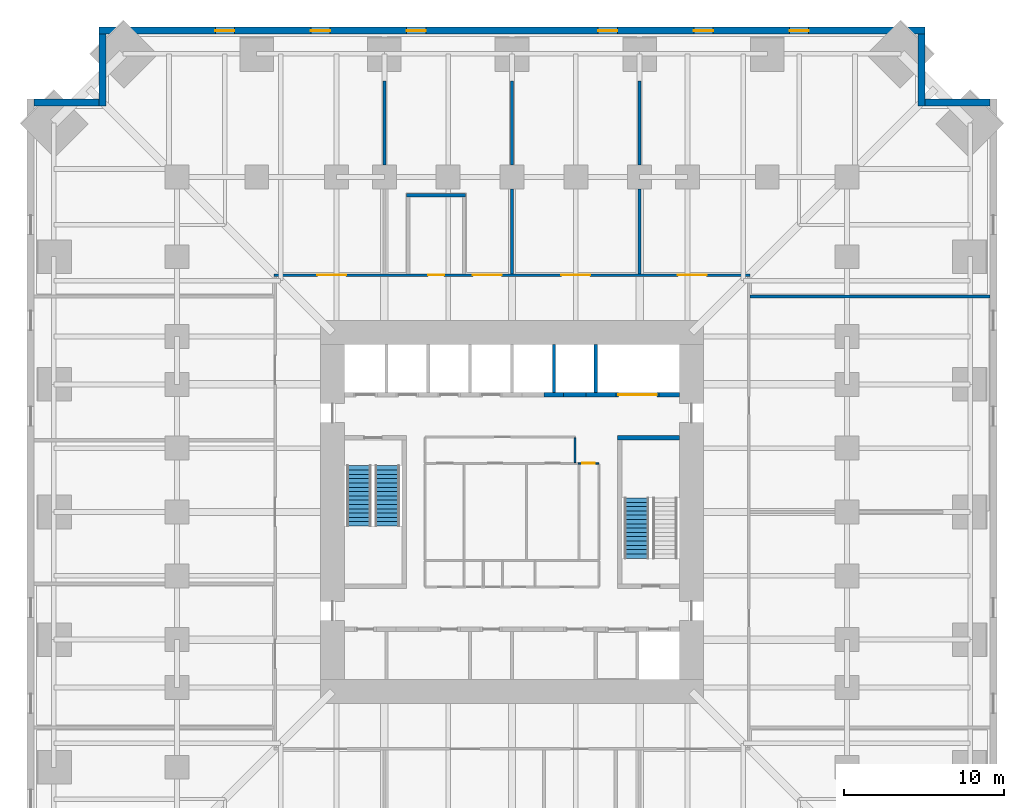
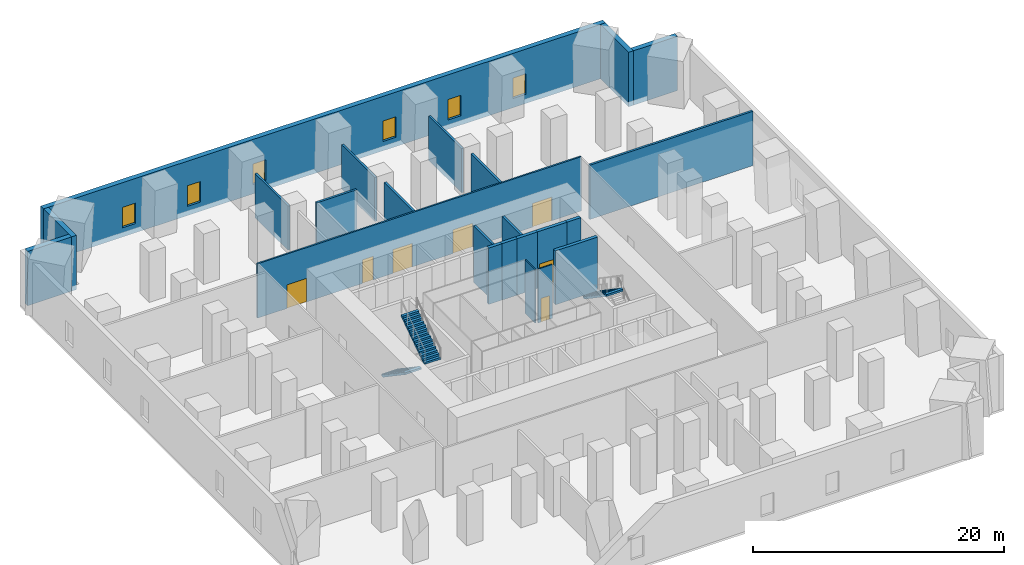
# One storey, part 6 of 8: 23 walls, 7 doors, 6 windows, 3 stair flights, 13 openings, 2 elements without a shape of their own.
"""IFC4 building model written with IfcOpenShell, lengths in metres."""

from ifc_helpers import new_model, si_unit, direction, frame, frame_2d, origin, place, context, subcontext, project, spatial, polyline, rectangle, outline, extrude, material, layer, layer_set, type_object, element, fill, aggregate, save


model = new_model("IFC4")

# Units and contexts
model_context = context("Model", 3, precision=1e-05, world=origin(), true_north=direction((0.0, 1.0)))
body_context = subcontext(model_context, "Body", "Model", "MODEL_VIEW")
ifc_project = project(units=[si_unit("LENGTHUNIT", "METRE"), si_unit("AREAUNIT", "SQUARE_METRE"), si_unit("VOLUMEUNIT", "CUBIC_METRE"), si_unit("PLANEANGLEUNIT", "RADIAN"), si_unit("MASSUNIT", "GRAM", prefix="KILO")], contexts=[model_context])

# Site, building, storey
site_placement = place(None, origin())
site = spatial("IfcSite", under=ifc_project, at=site_placement, CompositionType="ELEMENT")
building_placement = place(site_placement, origin())
building = spatial("IfcBuilding", under=site, at=building_placement, Name="Peilmerk Tower", CompositionType="ELEMENT")
storey_placement = place(building_placement, frame((0.0, 0.0, 54.0)))
storey = spatial("IfcBuildingStorey", under=building, at=storey_placement, Name="L10", CompositionType="ELEMENT", Elevation=54.0)

# Wall, openings, windows
ifc_material_1 = material(Name="Precast concrete C45/55, board-marked finish", Category="concrete")
ifc_layer_1 = layer(ifc_material_1, 0.449951171875)
ifc_layer_set_1 = layer_set([ifc_layer_1], Name="Precast concrete C45/55, board-marked finish")
wall_type_1 = type_object("IfcWallType", Name="EW1 450 precast concrete facade wall, board-marked", PredefinedType="SOLIDWALL", material=ifc_layer_set_1)
wall_1_placement = place(storey_placement, frame((25.89990234375, 30.175048828125, 0.0), z_axis=(0.0, 0.0, 1.0), x_axis=(-1.0, 0.0, 0.0)))
wall_1 = element("IfcWall", 1, at=wall_1_placement, inside=storey, type_object=wall_type_1, Name="Facade wall N L10", PredefinedType="SOLIDWALL", context=body_context, shape_type="SweptSolid", body=[
    extrude(rectangle(XDim=51.7998046875, YDim=0.449951171875, at=frame_2d((25.89990234375, 0.0))), origin(), (0.0, 0.0, 1.0), 5.300048828125),
])
opening_1_placement = place(wall_1_placement, frame((7.300048828125, 0.0, 0.89990234375)))
opening_1 = element("IfcOpeningElement", 2, at=opening_1_placement, cuts=wall_1, Name="Opening W2", PredefinedType="OPENING", context=body_context, shape_type="SweptSolid", body=[
    extrude(rectangle(XDim=1.199951171875, YDim=2.0, at=frame_2d((0.60009765625, 1.0))), frame((0.0, 0.23486328125, 0.0), z_axis=(0.0, -1.0, 0.0), x_axis=(1.0, 0.0, 0.0)), (0.0, 0.0, 1.0), 0.469970703125),
])
opening_2_placement = place(wall_1_placement, frame((13.300048828125, 0.0, 0.89990234375)))
opening_2 = element("IfcOpeningElement", 3, at=opening_2_placement, cuts=wall_1, Name="Opening W2", PredefinedType="OPENING", context=body_context, shape_type="SweptSolid", body=[
    extrude(rectangle(XDim=1.199951171875, YDim=2.0, at=frame_2d((0.60009765625, 1.0))), frame((0.0, 0.23486328125, 0.0), z_axis=(0.0, -1.0, 0.0), x_axis=(1.0, 0.0, 0.0)), (0.0, 0.0, 1.0), 0.469970703125),
])
opening_3_placement = place(wall_1_placement, frame((19.300048828125, 0.0, 0.89990234375)))
opening_3 = element("IfcOpeningElement", 4, at=opening_3_placement, cuts=wall_1, Name="Opening W2", PredefinedType="OPENING", context=body_context, shape_type="SweptSolid", body=[
    extrude(rectangle(XDim=1.199951171875, YDim=2.0, at=frame_2d((0.60009765625, 1.0))), frame((0.0, 0.23486328125, 0.0), z_axis=(0.0, -1.0, 0.0), x_axis=(1.0, 0.0, 0.0)), (0.0, 0.0, 1.0), 0.469970703125),
])
opening_4_placement = place(wall_1_placement, frame((31.300048828125, 0.0, 0.89990234375)))
opening_4 = element("IfcOpeningElement", 5, at=opening_4_placement, cuts=wall_1, Name="Opening W2", PredefinedType="OPENING", context=body_context, shape_type="SweptSolid", body=[
    extrude(rectangle(XDim=1.199951171875, YDim=2.0, at=frame_2d((0.60009765625, 1.0))), frame((0.0, 0.23486328125, 0.0), z_axis=(0.0, -1.0, 0.0), x_axis=(1.0, 0.0, 0.0)), (0.0, 0.0, 1.0), 0.469970703125),
])
opening_5_placement = place(wall_1_placement, frame((37.300048828125, 0.0, 0.89990234375)))
opening_5 = element("IfcOpeningElement", 6, at=opening_5_placement, cuts=wall_1, Name="Opening W2", PredefinedType="OPENING", context=body_context, shape_type="SweptSolid", body=[
    extrude(rectangle(XDim=1.199951171875, YDim=2.0, at=frame_2d((0.60009765625, 1.0))), frame((0.0, 0.23486328125, 0.0), z_axis=(0.0, -1.0, 0.0), x_axis=(1.0, 0.0, 0.0)), (0.0, 0.0, 1.0), 0.469970703125),
])
opening_6_placement = place(wall_1_placement, frame((43.300048828125, 0.0, 0.89990234375)))
opening_6 = element("IfcOpeningElement", 7, at=opening_6_placement, cuts=wall_1, Name="Opening W2", PredefinedType="OPENING", context=body_context, shape_type="SweptSolid", body=[
    extrude(rectangle(XDim=1.199951171875, YDim=2.0, at=frame_2d((0.60009765625, 1.0))), frame((0.0, 0.23486328125, 0.0), z_axis=(0.0, -1.0, 0.0), x_axis=(1.0, 0.0, 0.0)), (0.0, 0.0, 1.0), 0.469970703125),
])
ifc_material_2 = material(Name="Aluminium frame, clear double glazing", Category="aluminium")
window_type = type_object("IfcWindowType", Name="W2 1200x2000 data hall slot window", PartitioningType="SINGLE_PANEL", PredefinedType="WINDOW", material=ifc_material_2)
window_1_placement = place(opening_1_placement, origin())
window_1 = element("IfcWindow", 8, at=window_1_placement, inside=storey, type_object=window_type, Name="Window W2 L10", OverallHeight=2.0, OverallWidth=1.199951171875, PartitioningType="SINGLE_PANEL", PredefinedType="WINDOW", context=body_context, shape_type="SweptSolid", body=[
    extrude(rectangle(XDim=1.199951171875, YDim=2.0, at=frame_2d((0.60009765625, 1.0))), frame((0.0, 0.030029296875, 0.0), z_axis=(0.0, -1.0, 0.0), x_axis=(1.0, 0.0, 0.0)), (0.0, 0.0, 1.0), 0.06005859375),
])
fill(opening_1, window_1)
window_2_placement = place(opening_2_placement, origin())
window_2 = element("IfcWindow", 9, at=window_2_placement, inside=storey, type_object=window_type, Name="Window W2 L10", OverallHeight=2.0, OverallWidth=1.199951171875, PartitioningType="SINGLE_PANEL", PredefinedType="WINDOW", context=body_context, shape_type="SweptSolid", body=[
    extrude(rectangle(XDim=1.199951171875, YDim=2.0, at=frame_2d((0.60009765625, 1.0))), frame((0.0, 0.030029296875, 0.0), z_axis=(0.0, -1.0, 0.0), x_axis=(1.0, 0.0, 0.0)), (0.0, 0.0, 1.0), 0.06005859375),
])
fill(opening_2, window_2)
window_3_placement = place(opening_3_placement, origin())
window_3 = element("IfcWindow", 10, at=window_3_placement, inside=storey, type_object=window_type, Name="Window W2 L10", OverallHeight=2.0, OverallWidth=1.199951171875, PartitioningType="SINGLE_PANEL", PredefinedType="WINDOW", context=body_context, shape_type="SweptSolid", body=[
    extrude(rectangle(XDim=1.199951171875, YDim=2.0, at=frame_2d((0.60009765625, 1.0))), frame((0.0, 0.030029296875, 0.0), z_axis=(0.0, -1.0, 0.0), x_axis=(1.0, 0.0, 0.0)), (0.0, 0.0, 1.0), 0.06005859375),
])
fill(opening_3, window_3)
window_4_placement = place(opening_4_placement, origin())
window_4 = element("IfcWindow", 11, at=window_4_placement, inside=storey, type_object=window_type, Name="Window W2 L10", OverallHeight=2.0, OverallWidth=1.199951171875, PartitioningType="SINGLE_PANEL", PredefinedType="WINDOW", context=body_context, shape_type="SweptSolid", body=[
    extrude(rectangle(XDim=1.199951171875, YDim=2.0, at=frame_2d((0.60009765625, 1.0))), frame((0.0, 0.030029296875, 0.0), z_axis=(0.0, -1.0, 0.0), x_axis=(1.0, 0.0, 0.0)), (0.0, 0.0, 1.0), 0.06005859375),
])
fill(opening_4, window_4)
window_5_placement = place(opening_5_placement, origin())
window_5 = element("IfcWindow", 12, at=window_5_placement, inside=storey, type_object=window_type, Name="Window W2 L10", OverallHeight=2.0, OverallWidth=1.199951171875, PartitioningType="SINGLE_PANEL", PredefinedType="WINDOW", context=body_context, shape_type="SweptSolid", body=[
    extrude(rectangle(XDim=1.199951171875, YDim=2.0, at=frame_2d((0.60009765625, 1.0))), frame((0.0, 0.030029296875, 0.0), z_axis=(0.0, -1.0, 0.0), x_axis=(1.0, 0.0, 0.0)), (0.0, 0.0, 1.0), 0.06005859375),
])
fill(opening_5, window_5)
window_6_placement = place(opening_6_placement, origin())
window_6 = element("IfcWindow", 13, at=window_6_placement, inside=storey, type_object=window_type, Name="Window W2 L10", OverallHeight=2.0, OverallWidth=1.199951171875, PartitioningType="SINGLE_PANEL", PredefinedType="WINDOW", context=body_context, shape_type="SweptSolid", body=[
    extrude(rectangle(XDim=1.199951171875, YDim=2.0, at=frame_2d((0.60009765625, 1.0))), frame((0.0, 0.030029296875, 0.0), z_axis=(0.0, -1.0, 0.0), x_axis=(1.0, 0.0, 0.0)), (0.0, 0.0, 1.0), 0.06005859375),
])
fill(opening_6, window_6)

# Walls
wall_2_placement = place(storey_placement, frame((25.675048828125, 25.449951171875, 0.0), z_axis=(0.0, 0.0, 1.0), x_axis=(0.0, 1.0, 0.0)))
element("IfcWall", 14, at=wall_2_placement, inside=storey, type_object=wall_type_1, Name="Facade wall NEA L10", PredefinedType="SOLIDWALL", context=body_context, shape_type="SweptSolid", body=[
    extrude(rectangle(XDim=4.5, YDim=0.449951171875, at=frame_2d((2.25, 0.0))), origin(), (0.0, 0.0, 1.0), 5.300048828125),
])
wall_3_placement = place(storey_placement, frame((25.89990234375, 25.675048828125, 0.0), z_axis=(0.0, 0.0, 1.0), x_axis=(1.0, 0.0, 0.0)))
element("IfcWall", 15, at=wall_3_placement, inside=storey, type_object=wall_type_1, Name="Facade wall NEB L10", PredefinedType="SOLIDWALL", context=body_context, shape_type="SweptSolid", body=[
    extrude(rectangle(XDim=4.050048828125, YDim=0.449951171875, at=frame_2d((2.02490234375, 0.0))), origin(), (0.0, 0.0, 1.0), 5.300048828125),
])
wall_4_placement = place(storey_placement, frame((-25.675048828125, 25.449951171875, 0.0), z_axis=(0.0, 0.0, 1.0), x_axis=(0.0, 1.0, 0.0)))
element("IfcWall", 16, at=wall_4_placement, inside=storey, type_object=wall_type_1, Name="Facade wall NWA L10", PredefinedType="SOLIDWALL", context=body_context, shape_type="SweptSolid", body=[
    extrude(rectangle(XDim=4.5, YDim=0.449951171875, at=frame_2d((2.25, 0.0))), origin(), (0.0, 0.0, 1.0), 5.300048828125),
])
wall_5_placement = place(storey_placement, frame((-25.89990234375, 25.675048828125, 0.0), z_axis=(0.0, 0.0, 1.0), x_axis=(-1.0, 0.0, 0.0)))
element("IfcWall", 17, at=wall_5_placement, inside=storey, type_object=wall_type_1, Name="Facade wall NWB L10", PredefinedType="SOLIDWALL", context=body_context, shape_type="SweptSolid", body=[
    extrude(rectangle(XDim=4.050048828125, YDim=0.449951171875, at=frame_2d((2.02490234375, 0.0))), origin(), (0.0, 0.0, 1.0), 5.300048828125),
])

# Wall, openings, doors
ifc_material_3 = material(Name="Calcium silicate block", Category="masonry")
ifc_layer_2 = layer(ifc_material_3, 0.14990234375)
ifc_layer_set_2 = layer_set([ifc_layer_2], Name="Calcium silicate block")
wall_type_2 = type_object("IfcWallType", Name="IW1 150 corridor partition, EI 60", PredefinedType="PARTITIONING", material=ifc_layer_set_2)
wall_6_placement = place(storey_placement, frame((-14.925048828125, 14.85009765625, 0.0), z_axis=(0.0, 0.0, 1.0), x_axis=(1.0, 0.0, 0.0)))
wall_6 = element("IfcWall", 18, at=wall_6_placement, inside=storey, type_object=wall_type_2, Name="Corridor wall N L10", PredefinedType="PARTITIONING", context=body_context, shape_type="SweptSolid", body=[
    extrude(rectangle(XDim=29.85009765625, YDim=0.14990234375, at=frame_2d((14.925048828125, 0.0))), origin(), (0.0, 0.0, 1.0), 5.300048828125),
])
opening_7_placement = place(wall_6_placement, frame((2.72509765625, 0.0, 0.0)))
opening_7 = element("IfcOpeningElement", 19, at=opening_7_placement, cuts=wall_6, Name="Opening D2", PredefinedType="OPENING", context=body_context, shape_type="SweptSolid", body=[
    extrude(rectangle(XDim=1.800048828125, YDim=2.300048828125, at=frame_2d((0.89990234375, 1.14990234375))), frame((0.0, 0.0849609375, 0.0), z_axis=(0.0, -1.0, 0.0), x_axis=(1.0, 0.0, 0.0)), (0.0, 0.0, 1.0), 0.169921875),
])
opening_8_placement = place(wall_6_placement, frame((12.47509765625, 0.0, 0.0)))
opening_8 = element("IfcOpeningElement", 20, at=opening_8_placement, cuts=wall_6, Name="Opening D2", PredefinedType="OPENING", context=body_context, shape_type="SweptSolid", body=[
    extrude(rectangle(XDim=1.800048828125, YDim=2.300048828125, at=frame_2d((0.89990234375, 1.14990234375))), frame((0.0, 0.0849609375, 0.0), z_axis=(0.0, -1.0, 0.0), x_axis=(1.0, 0.0, 0.0)), (0.0, 0.0, 1.0), 0.169921875),
])
opening_9_placement = place(wall_6_placement, frame((18.02490234375, 0.0, 0.0)))
opening_9 = element("IfcOpeningElement", 21, at=opening_9_placement, cuts=wall_6, Name="Opening D2", PredefinedType="OPENING", context=body_context, shape_type="SweptSolid", body=[
    extrude(rectangle(XDim=1.800048828125, YDim=2.300048828125, at=frame_2d((0.89990234375, 1.14990234375))), frame((0.0, 0.0849609375, 0.0), z_axis=(0.0, -1.0, 0.0), x_axis=(1.0, 0.0, 0.0)), (0.0, 0.0, 1.0), 0.169921875),
])
opening_10_placement = place(wall_6_placement, frame((25.324951171875, 0.0, 0.0)))
opening_10 = element("IfcOpeningElement", 22, at=opening_10_placement, cuts=wall_6, Name="Opening D2", PredefinedType="OPENING", context=body_context, shape_type="SweptSolid", body=[
    extrude(rectangle(XDim=1.800048828125, YDim=2.300048828125, at=frame_2d((0.89990234375, 1.14990234375))), frame((0.0, 0.0849609375, 0.0), z_axis=(0.0, -1.0, 0.0), x_axis=(1.0, 0.0, 0.0)), (0.0, 0.0, 1.0), 0.169921875),
])
opening_11_placement = place(wall_6_placement, frame((9.675048828125, 0.0, 0.0)))
opening_11 = element("IfcOpeningElement", 23, at=opening_11_placement, cuts=wall_6, Name="Opening D1", PredefinedType="OPENING", context=body_context, shape_type="SweptSolid", body=[
    extrude(rectangle(XDim=1.0, YDim=2.300048828125, at=frame_2d((0.5, 1.14990234375))), frame((0.0, 0.0849609375, 0.0), z_axis=(0.0, -1.0, 0.0), x_axis=(1.0, 0.0, 0.0)), (0.0, 0.0, 1.0), 0.169921875),
])
ifc_material_4 = material(Name="Timber door in steel frame", Category="steel")
door_type_1 = type_object("IfcDoorType", Name="D1 1000x2300 room door, EI2 30", OperationType="SINGLE_SWING_LEFT", PredefinedType="DOOR", material=ifc_material_4)
door_1_placement = place(opening_11_placement, origin())
door_1 = element("IfcDoor", 24, at=door_1_placement, inside=storey, type_object=door_type_1, Name="Door Customer meeting room L10", OperationType="SINGLE_SWING_LEFT", OverallHeight=2.300048828125, OverallWidth=1.0, PredefinedType="DOOR", context=body_context, shape_type="SweptSolid", body=[
    extrude(rectangle(XDim=1.0, YDim=2.300048828125, at=frame_2d((0.5, 1.14990234375))), frame((0.0, 0.02490234375, 0.0), z_axis=(0.0, -1.0, 0.0), x_axis=(1.0, 0.0, 0.0)), (0.0, 0.0, 1.0), 0.050048828125),
])
fill(opening_11, door_1)
ifc_material_5 = material(Name="Steel door in steel frame", Category="steel")
door_type_2 = type_object("IfcDoorType", Name="D2 1800x2300 double door, EI2 60", OperationType="DOUBLE_DOOR_DOUBLE_SWING", PredefinedType="DOOR", material=ifc_material_5)
door_2_placement = place(opening_7_placement, origin())
door_2 = element("IfcDoor", 25, at=door_2_placement, inside=storey, type_object=door_type_2, Name="Door Data suite A L10", OperationType="DOUBLE_DOOR_DOUBLE_SWING", OverallHeight=2.300048828125, OverallWidth=1.800048828125, PredefinedType="DOOR", context=body_context, shape_type="SweptSolid", body=[
    extrude(rectangle(XDim=1.800048828125, YDim=2.300048828125, at=frame_2d((0.89990234375, 1.14990234375))), frame((0.0, 0.02490234375, 0.0), z_axis=(0.0, -1.0, 0.0), x_axis=(1.0, 0.0, 0.0)), (0.0, 0.0, 1.0), 0.050048828125),
])
fill(opening_7, door_2)
door_3_placement = place(opening_8_placement, origin())
door_3 = element("IfcDoor", 26, at=door_3_placement, inside=storey, type_object=door_type_2, Name="Door Data suite B L10", OperationType="DOUBLE_DOOR_DOUBLE_SWING", OverallHeight=2.300048828125, OverallWidth=1.800048828125, PredefinedType="DOOR", context=body_context, shape_type="SweptSolid", body=[
    extrude(rectangle(XDim=1.800048828125, YDim=2.300048828125, at=frame_2d((0.89990234375, 1.14990234375))), frame((0.0, 0.02490234375, 0.0), z_axis=(0.0, -1.0, 0.0), x_axis=(1.0, 0.0, 0.0)), (0.0, 0.0, 1.0), 0.050048828125),
])
fill(opening_8, door_3)
door_4_placement = place(opening_9_placement, origin())
door_4 = element("IfcDoor", 27, at=door_4_placement, inside=storey, type_object=door_type_2, Name="Door Data suite C L10", OperationType="DOUBLE_DOOR_DOUBLE_SWING", OverallHeight=2.300048828125, OverallWidth=1.800048828125, PredefinedType="DOOR", context=body_context, shape_type="SweptSolid", body=[
    extrude(rectangle(XDim=1.800048828125, YDim=2.300048828125, at=frame_2d((0.89990234375, 1.14990234375))), frame((0.0, 0.02490234375, 0.0), z_axis=(0.0, -1.0, 0.0), x_axis=(1.0, 0.0, 0.0)), (0.0, 0.0, 1.0), 0.050048828125),
])
fill(opening_9, door_4)
door_5_placement = place(opening_10_placement, origin())
door_5 = element("IfcDoor", 28, at=door_5_placement, inside=storey, type_object=door_type_2, Name="Door Data suite D L10", OperationType="DOUBLE_DOOR_DOUBLE_SWING", OverallHeight=2.300048828125, OverallWidth=1.800048828125, PredefinedType="DOOR", context=body_context, shape_type="SweptSolid", body=[
    extrude(rectangle(XDim=1.800048828125, YDim=2.300048828125, at=frame_2d((0.89990234375, 1.14990234375))), frame((0.0, 0.02490234375, 0.0), z_axis=(0.0, -1.0, 0.0), x_axis=(1.0, 0.0, 0.0)), (0.0, 0.0, 1.0), 0.050048828125),
])
fill(opening_10, door_5)

# Walls
ifc_layer_3 = layer(ifc_material_3, 0.199951171875)
ifc_layer_set_3 = layer_set([ifc_layer_3], Name="Calcium silicate block")
wall_type_3 = type_object("IfcWallType", Name="IW2 200 room separating wall, EI 120", PredefinedType="PARTITIONING", material=ifc_layer_set_3)
wall_7_placement = place(storey_placement, frame((14.925048828125, 13.5, 0.0), z_axis=(0.0, 0.0, 1.0), x_axis=(1.0, 0.0, 0.0)))
element("IfcWall", 29, at=wall_7_placement, inside=storey, type_object=wall_type_3, Name="Room separating wall NE L10", PredefinedType="PARTITIONING", context=body_context, shape_type="SweptSolid", body=[
    extrude(rectangle(XDim=15.02490234375, YDim=0.199951171875, at=frame_2d((7.512451171875, 0.0))), origin(), (0.0, 0.0, 1.0), 5.300048828125),
])
wall_8_placement = place(storey_placement, frame((-8.0, 21.75, 0.0), z_axis=(0.0, 0.0, 1.0), x_axis=(0.0, 1.0, 0.0)))
element("IfcWall", 30, at=wall_8_placement, inside=storey, type_object=wall_type_3, Name="Room separating wall N1b L10", PredefinedType="PARTITIONING", context=body_context, shape_type="SweptSolid", body=[
    extrude(rectangle(XDim=5.2626953125, YDim=0.199951171875, at=frame_2d((2.63134765625, 0.0))), origin(), (0.0, 0.0, 1.0), 4.300048828125),
])
wall_9_placement = place(storey_placement, frame((0.0, 14.925048828125, 0.0), z_axis=(0.0, 0.0, 1.0), x_axis=(0.0, 1.0, 0.0)))
element("IfcWall", 31, at=wall_9_placement, inside=storey, type_object=wall_type_3, Name="Room separating wall N2 L10", PredefinedType="PARTITIONING", context=body_context, shape_type="SweptSolid", body=[
    extrude(rectangle(XDim=5.324951171875, YDim=0.199951171875, at=frame_2d((2.66259765625, 0.0))), origin(), (0.0, 0.0, 1.0), 4.73095703125),
])
wall_10_placement = place(storey_placement, frame((0.0, 21.75, 0.0), z_axis=(0.0, 0.0, 1.0), x_axis=(0.0, 1.0, 0.0)))
element("IfcWall", 32, at=wall_10_placement, inside=storey, type_object=wall_type_3, Name="Room separating wall N2b L10", PredefinedType="PARTITIONING", context=body_context, shape_type="SweptSolid", body=[
    extrude(rectangle(XDim=5.2626953125, YDim=0.199951171875, at=frame_2d((2.63134765625, 0.0))), origin(), (0.0, 0.0, 1.0), 4.300048828125),
])
wall_11_placement = place(storey_placement, frame((8.0, 14.925048828125, 0.0), z_axis=(0.0, 0.0, 1.0), x_axis=(0.0, 1.0, 0.0)))
element("IfcWall", 33, at=wall_11_placement, inside=storey, type_object=wall_type_3, Name="Room separating wall N3 L10", PredefinedType="PARTITIONING", context=body_context, shape_type="SweptSolid", body=[
    extrude(rectangle(XDim=5.324951171875, YDim=0.199951171875, at=frame_2d((2.66259765625, 0.0))), origin(), (0.0, 0.0, 1.0), 4.73095703125),
])
wall_12_placement = place(storey_placement, frame((8.0, 21.75, 0.0), z_axis=(0.0, 0.0, 1.0), x_axis=(0.0, 1.0, 0.0)))
element("IfcWall", 34, at=wall_12_placement, inside=storey, type_object=wall_type_3, Name="Room separating wall N3b L10", PredefinedType="PARTITIONING", context=body_context, shape_type="SweptSolid", body=[
    extrude(rectangle(XDim=5.2626953125, YDim=0.199951171875, at=frame_2d((2.63134765625, 0.0))), origin(), (0.0, 0.0, 1.0), 4.300048828125),
])
wall_13_placement = place(storey_placement, frame((-6.60009765625, 19.85009765625, 0.0), z_axis=(0.0, 0.0, 1.0), x_axis=(1.0, 0.0, 0.0)))
element("IfcWall", 35, at=wall_13_placement, inside=storey, type_object=wall_type_3, Name="Room separating wall Customer meeting room L10", PredefinedType="PARTITIONING", context=body_context, shape_type="SweptSolid", body=[
    extrude(rectangle(XDim=3.7001953125, YDim=0.199951171875, at=frame_2d((1.85009765625, 0.0))), origin(), (0.0, 0.0, 1.0), 5.300048828125),
])
ifc_material_6 = material(Name="Concrete C35/45", Category="concrete")
ifc_layer_4 = layer(ifc_material_6, 0.300048828125)
ifc_layer_set_4 = layer_set([ifc_layer_4], Name="Concrete C35/45")
wall_type_4 = type_object("IfcWallType", Name="IW3 300 concrete stair enclosure wall, EI 120", PredefinedType="SOLIDWALL", material=ifc_layer_set_4)
wall_14_placement = place(storey_placement, frame((6.60009765625, 4.64990234375, 0.0), z_axis=(0.0, 0.0, 1.0), x_axis=(1.0, 0.0, 0.0)))
element("IfcWall", 36, at=wall_14_placement, inside=storey, type_object=wall_type_4, Name="Stair 2 enclosure L10", PredefinedType="SOLIDWALL", context=body_context, shape_type="SweptSolid", body=[
    extrude(rectangle(XDim=3.89990234375, YDim=0.300048828125, at=frame_2d((1.949951171875, 0.0))), origin(), (0.0, 0.0, 1.0), 5.25),
])

# Wall, opening, door
ifc_material_7 = material(Name="Calcium silicate board on steel studs", Category="steel")
ifc_layer_5 = layer(ifc_material_7, 0.10009765625)
ifc_layer_set_5 = layer_set([ifc_layer_5], Name="Calcium silicate board on steel studs")
wall_type_5 = type_object("IfcWallType", Name="IW5 100 riser enclosure wall, EI 60", PredefinedType="PARTITIONING", material=ifc_layer_set_5)
wall_15_placement = place(storey_placement, frame((4.14990234375, 3.050048828125, 0.0), z_axis=(0.0, 0.0, 1.0), x_axis=(1.0, 0.0, 0.0)))
wall_15 = element("IfcWall", 37, at=wall_15_placement, inside=storey, type_object=wall_type_5, Name="Riser wall L10", PredefinedType="PARTITIONING", context=body_context, shape_type="SweptSolid", body=[
    extrude(rectangle(XDim=1.300048828125, YDim=0.10009765625, at=frame_2d((0.64990234375, 0.0))), origin(), (0.0, 0.0, 1.0), 5.25),
])
opening_12_placement = place(wall_15_placement, frame((0.25, 0.0, 0.0)))
opening_12 = element("IfcOpeningElement", 38, at=opening_12_placement, cuts=wall_15, Name="Opening D7", PredefinedType="OPENING", context=body_context, shape_type="SweptSolid", body=[
    extrude(rectangle(XDim=0.800048828125, YDim=2.300048828125, at=frame_2d((0.39990234375, 1.14990234375))), frame((0.0, 0.06005859375, 0.0), z_axis=(0.0, -1.0, 0.0), x_axis=(1.0, 0.0, 0.0)), (0.0, 0.0, 1.0), 0.1201171875),
])
door_type_3 = type_object("IfcDoorType", Name="D7 800x2300 riser access door, EI2 60", OperationType="SINGLE_SWING_RIGHT", PredefinedType="DOOR", material=ifc_material_5)
door_6_placement = place(opening_12_placement, frame((0.800048828125, 0.0, 0.0), z_axis=(0.0, 0.0, 1.0), x_axis=(-1.0, 0.0, 0.0)))
door_6 = element("IfcDoor", 39, at=door_6_placement, inside=storey, type_object=door_type_3, Name="Plumbing riser door L10", OperationType="SINGLE_SWING_RIGHT", OverallHeight=2.300048828125, OverallWidth=0.800048828125, PredefinedType="DOOR", context=body_context, shape_type="SweptSolid", body=[
    extrude(rectangle(XDim=0.800048828125, YDim=2.300048828125, at=frame_2d((0.39990234375, 1.14990234375))), frame((0.0, 0.02490234375, 0.0), z_axis=(0.0, -1.0, 0.0), x_axis=(1.0, 0.0, 0.0)), (0.0, 0.0, 1.0), 0.050048828125),
])
fill(opening_12, door_6)

# Walls
ifc_material_8 = material(Name="Fire-resisting plasterboard on steel studs", Category="steel")
ifc_layer_6 = layer(ifc_material_8, 0.10009765625)
ifc_layer_set_6 = layer_set([ifc_layer_6], Name="Fire-resisting plasterboard on steel studs")
wall_type_6 = type_object("IfcWallType", Name="IW9 100 WC lobby wall, EI 30", PredefinedType="PARTITIONING", material=ifc_layer_set_6)
wall_16_placement = place(storey_placement, frame((3.949951171875, 3.10009765625, 0.0), z_axis=(0.0, 0.0, 1.0), x_axis=(0.0, 1.0, 0.0)))
element("IfcWall", 40, at=wall_16_placement, inside=storey, type_object=wall_type_6, Name="WC lobby wall L10", PredefinedType="PARTITIONING", context=body_context, shape_type="SweptSolid", body=[
    extrude(rectangle(XDim=1.5498046875, YDim=0.10009765625, at=frame_2d((0.77490234375, 0.0))), origin(), (0.0, 0.0, 1.0), 5.25),
])
ifc_layer_7 = layer(ifc_material_3, 0.199951171875)
ifc_layer_set_7 = layer_set([ifc_layer_7], Name="Calcium silicate block")
wall_type_7 = type_object("IfcWallType", Name="SH1 200 shaft dividing wall, EI 120", PredefinedType="PARTITIONING", material=ifc_layer_set_7)
for number, where, z_axis, x_axis, name in (
    (41, (2.625, 7.5, 0.0), (0.0, 0.0, 1.0), (0.0, 1.0, 0.0), "Shaft wall N S1 L10"),
    (42, (5.25, 7.5, 0.0), (0.0, 0.0, 1.0), (0.0, 1.0, 0.0), "Shaft wall N S2 L10"),
):
    element("IfcWall", number, at=place(storey_placement, frame(where, z_axis=z_axis, x_axis=x_axis)), inside=storey, type_object=wall_type_7, Name=name, PredefinedType="PARTITIONING", context=body_context, shape_type="SweptSolid", body=[
        extrude(rectangle(XDim=3.0, YDim=0.199951171875, at=frame_2d((1.5, 0.0))), origin(), (0.0, 0.0, 1.0), 5.5),
    ])
ifc_layer_8 = layer(ifc_material_3, 0.300048828125)
ifc_layer_set_8 = layer_set([ifc_layer_8], Name="Calcium silicate block")
wall_type_8 = type_object("IfcWallType", Name="SH2 300 lift landing door panel, EI 120", PredefinedType="PARTITIONING", material=ifc_layer_set_8)
wall_17_placement = place(storey_placement, frame((3.237548828125, 7.35009765625, 0.0), z_axis=(0.0, 0.0, 1.0), x_axis=(1.0, 0.0, 0.0)))
element("IfcWall", 43, at=wall_17_placement, inside=storey, type_object=wall_type_8, Name="Lift door panel N S2 L10", PredefinedType="PARTITIONING", context=body_context, shape_type="SweptSolid", body=[
    extrude(rectangle(XDim=1.39990234375, YDim=0.300048828125, at=frame_2d((0.699951171875, 0.0))), origin(), (0.0, 0.0, 1.0), 5.5),
])

# Wall, opening, door
wall_18_placement = place(storey_placement, frame((6.52490234375, 7.35009765625, 0.0), z_axis=(0.0, 0.0, 1.0), x_axis=(1.0, 0.0, 0.0)))
wall_18 = element("IfcWall", 44, at=wall_18_placement, inside=storey, type_object=wall_type_8, Name="Lift door panel N GL1 L10", PredefinedType="PARTITIONING", context=body_context, shape_type="SweptSolid", body=[
    extrude(rectangle(XDim=2.7001953125, YDim=0.300048828125, at=frame_2d((1.35009765625, 0.0))), origin(), (0.0, 0.0, 1.0), 5.5),
])
opening_13_placement = place(wall_18_placement, frame((0.14990234375, 0.0, 0.0)))
opening_13 = element("IfcOpeningElement", 45, at=opening_13_placement, cuts=wall_18, Name="Opening LD3", PredefinedType="OPENING", context=body_context, shape_type="SweptSolid", body=[
    extrude(rectangle(XDim=2.39990234375, YDim=2.300048828125, at=frame_2d((1.199951171875, 1.14990234375))), frame((0.0, 0.159912109375, 0.0), z_axis=(0.0, -1.0, 0.0), x_axis=(1.0, 0.0, 0.0)), (0.0, 0.0, 1.0), 0.320068359375),
])
ifc_material_9 = material(Name="Stainless steel landing door", Category="steel")
door_type_4 = type_object("IfcDoorType", Name="LD3 2400x2300 lift landing door, sliding, EI2 60", OperationType="SLIDING_TO_LEFT", PredefinedType="DOOR", material=ifc_material_9)
door_7_placement = place(opening_13_placement, frame((2.39990234375, 0.0, 0.0), z_axis=(0.0, 0.0, 1.0), x_axis=(-1.0, 0.0, 0.0)))
door_7 = element("IfcDoor", 46, at=door_7_placement, inside=storey, type_object=door_type_4, Name="Lift landing door GL1 L10", OperationType="SLIDING_TO_LEFT", OverallHeight=2.300048828125, OverallWidth=2.39990234375, PredefinedType="DOOR", context=body_context, shape_type="SweptSolid", body=[
    extrude(rectangle(XDim=2.39990234375, YDim=2.300048828125, at=frame_2d((1.199951171875, 1.14990234375))), frame((0.0, 0.02490234375, 0.0), z_axis=(0.0, -1.0, 0.0), x_axis=(1.0, 0.0, 0.0)), (0.0, 0.0, 1.0), 0.050048828125),
])
fill(opening_13, door_7)

# Walls
ifc_material_10 = material(Name="Concrete C55/67", Category="concrete")
ifc_layer_9 = layer(ifc_material_10, 0.300048828125)
ifc_layer_set_9 = layer_set([ifc_layer_9], Name="Concrete C55/67")
wall_type_9 = type_object("IfcWallType", Name="SW2 300 lift bank pier", PredefinedType="SHEAR", material=ifc_layer_set_9)
wall_19_placement = place(storey_placement, frame((2.012451171875, 7.35009765625, 0.0), z_axis=(0.0, 0.0, 1.0), x_axis=(1.0, 0.0, 0.0)))
element("IfcWall", 47, at=wall_19_placement, inside=storey, type_object=wall_type_9, Name="Lift bank pier N L10", PredefinedType="SHEAR", context=body_context, shape_type="SweptSolid", body=[
    extrude(rectangle(XDim=1.22509765625, YDim=0.300048828125, at=frame_2d((0.612548828125, 0.0))), origin(), (0.0, 0.0, 1.0), 5.5),
])
wall_20_placement = place(storey_placement, frame((4.637451171875, 7.35009765625, 0.0), z_axis=(0.0, 0.0, 1.0), x_axis=(1.0, 0.0, 0.0)))
element("IfcWall", 48, at=wall_20_placement, inside=storey, type_object=wall_type_9, Name="Lift bank pier N L10", PredefinedType="SHEAR", context=body_context, shape_type="SweptSolid", body=[
    extrude(rectangle(XDim=1.887451171875, YDim=0.300048828125, at=frame_2d((0.94384765625, 0.0))), origin(), (0.0, 0.0, 1.0), 5.5),
])
wall_21_placement = place(storey_placement, frame((9.22509765625, 7.35009765625, 0.0), z_axis=(0.0, 0.0, 1.0), x_axis=(1.0, 0.0, 0.0)))
element("IfcWall", 49, at=wall_21_placement, inside=storey, type_object=wall_type_9, Name="Lift bank pier N L10", PredefinedType="SHEAR", context=body_context, shape_type="SweptSolid", body=[
    extrude(rectangle(XDim=1.27490234375, YDim=0.300048828125, at=frame_2d((0.637451171875, 0.0))), origin(), (0.0, 0.0, 1.0), 5.5),
])

# Stair, stair flights
ifc_material_11 = material(Name="Precast concrete C45/55", Category="concrete")
stair_type_1 = type_object("IfcStairType", Name="ST1 30 risers of 183.3", PredefinedType="HALF_TURN_STAIR", material=ifc_material_11)
stair_1_placement = place(storey_placement, origin())
stair_1 = element("IfcStair", 50, at=stair_1_placement, inside=storey, type_object=stair_type_1, Name="Stair 1 L10 to L11", PredefinedType="HALF_TURN_STAIR")
stair_flight_type = type_object("IfcStairFlightType", Name="SF15 flight, 15 risers of 183.3", PredefinedType="STRAIGHT", material=ifc_material_11)
stair_flight_1_placement = place(storey_placement, frame((-9.60009765625, 2.89990234375, 0.0), z_axis=(0.0, 0.0, 1.0), x_axis=(0.0, -1.0, 0.0)))
stair_flight_1 = element("IfcStairFlight", 51, at=stair_flight_1_placement, type_object=stair_flight_type, Name="ST1 flight 1", NumberOfRisers=15, NumberOfTreads=14, PredefinedType="STRAIGHT", RiserHeight=0.183333333, TreadLength=0.27, context=body_context, shape_type="SweptSolid", body=[
    extrude(outline(polyline([(0.0, 0.0), (0.0, 0.183349609375), (0.27001953125, 0.183349609375), (0.27001953125, 0.36669921875), (0.5400390625, 0.36669921875), (0.5400390625, 0.550048828125), (0.81005859375, 0.550048828125), (0.81005859375, 0.7333984375), (1.080078125, 0.7333984375), (1.080078125, 0.916748046875), (1.35009765625, 0.916748046875), (1.35009765625, 1.10009765625), (1.6201171875, 1.10009765625), (1.6201171875, 1.283447265625), (1.889892578125, 1.283447265625), (1.889892578125, 1.466552734375), (2.159912109375, 1.466552734375), (2.159912109375, 1.64990234375), (2.429931640625, 1.64990234375), (2.429931640625, 1.833251953125), (2.699951171875, 1.833251953125), (2.699951171875, 2.0166015625), (2.969970703125, 2.0166015625), (2.969970703125, 2.199951171875), (3.239990234375, 2.199951171875), (3.239990234375, 2.38330078125), (3.510009765625, 2.38330078125), (3.510009765625, 2.566650390625), (3.780029296875, 2.566650390625), (3.780029296875, 2.75), (3.780029296875, 2.385498046875), (0.266845703125, 0.0), (0.0, 0.0)])), frame((0.0, 0.75, 0.0), z_axis=(0.0, -1.0, 0.0), x_axis=(1.0, 0.0, 0.0)), (0.0, 0.0, 1.0), 1.5),
])
stair_flight_2_placement = place(storey_placement, frame((-7.800048828125, -0.8798828125, 2.75), z_axis=(0.0, 0.0, 1.0), x_axis=(0.0, 1.0, 0.0)))
stair_flight_2 = element("IfcStairFlight", 52, at=stair_flight_2_placement, type_object=stair_flight_type, Name="ST1 flight 2", NumberOfRisers=15, NumberOfTreads=14, PredefinedType="STRAIGHT", RiserHeight=0.183333333, TreadLength=0.27, context=body_context, shape_type="SweptSolid", body=[
    extrude(outline(polyline([(0.0, 0.0), (0.0, 0.183349609375), (0.27001953125, 0.183349609375), (0.27001953125, 0.36669921875), (0.5400390625, 0.36669921875), (0.5400390625, 0.550048828125), (0.81005859375, 0.550048828125), (0.81005859375, 0.7333984375), (1.080078125, 0.7333984375), (1.080078125, 0.916748046875), (1.35009765625, 0.916748046875), (1.35009765625, 1.10009765625), (1.6201171875, 1.10009765625), (1.6201171875, 1.283447265625), (1.889892578125, 1.283447265625), (1.889892578125, 1.466552734375), (2.159912109375, 1.466552734375), (2.159912109375, 1.64990234375), (2.429931640625, 1.64990234375), (2.429931640625, 1.833251953125), (2.699951171875, 1.833251953125), (2.699951171875, 2.0166015625), (2.969970703125, 2.0166015625), (2.969970703125, 2.199951171875), (3.239990234375, 2.199951171875), (3.239990234375, 2.38330078125), (3.510009765625, 2.38330078125), (3.510009765625, 2.566650390625), (3.780029296875, 2.566650390625), (3.780029296875, 2.75), (3.780029296875, 2.385498046875), (0.266845703125, 0.0), (0.0, 0.0)])), frame((0.0, 0.75, 0.0), z_axis=(0.0, -1.0, 0.0), x_axis=(1.0, 0.0, 0.0)), (0.0, 0.0, 1.0), 1.5),
])
aggregate(stair_1, [stair_flight_1, stair_flight_2])

# Stair, stair flight
stair_type_2 = type_object("IfcStairType", Name="ST2 30 risers of 183.3", PredefinedType="HALF_TURN_STAIR", material=ifc_material_11)
stair_2_placement = place(storey_placement, origin())
stair_2 = element("IfcStair", 53, at=stair_2_placement, inside=storey, type_object=stair_type_2, Name="Stair 2 L10 to L11", PredefinedType="HALF_TURN_STAIR")
stair_flight_3_placement = place(storey_placement, frame((7.800048828125, 0.8798828125, 2.75), z_axis=(0.0, 0.0, 1.0), x_axis=(0.0, -1.0, 0.0)))
stair_flight_3 = element("IfcStairFlight", 54, at=stair_flight_3_placement, type_object=stair_flight_type, Name="ST2 flight 2", NumberOfRisers=15, NumberOfTreads=14, PredefinedType="STRAIGHT", RiserHeight=0.183333333, TreadLength=0.27, context=body_context, shape_type="SweptSolid", body=[
    extrude(outline(polyline([(0.0, 0.0), (0.0, 0.183349609375), (0.27001953125, 0.183349609375), (0.27001953125, 0.36669921875), (0.5400390625, 0.36669921875), (0.5400390625, 0.550048828125), (0.81005859375, 0.550048828125), (0.81005859375, 0.7333984375), (1.080078125, 0.7333984375), (1.080078125, 0.916748046875), (1.35009765625, 0.916748046875), (1.35009765625, 1.10009765625), (1.6201171875, 1.10009765625), (1.6201171875, 1.283447265625), (1.889892578125, 1.283447265625), (1.889892578125, 1.466552734375), (2.159912109375, 1.466552734375), (2.159912109375, 1.64990234375), (2.429931640625, 1.64990234375), (2.429931640625, 1.833251953125), (2.699951171875, 1.833251953125), (2.699951171875, 2.0166015625), (2.969970703125, 2.0166015625), (2.969970703125, 2.199951171875), (3.239990234375, 2.199951171875), (3.239990234375, 2.38330078125), (3.510009765625, 2.38330078125), (3.510009765625, 2.566650390625), (3.780029296875, 2.566650390625), (3.780029296875, 2.75), (3.780029296875, 2.385498046875), (0.266845703125, 0.0), (0.0, 0.0)])), frame((0.0, 0.75, 0.0), z_axis=(0.0, -1.0, 0.0), x_axis=(1.0, 0.0, 0.0)), (0.0, 0.0, 1.0), 1.5),
])
aggregate(stair_2, [stair_flight_3])

save(model, "model.ifc")
